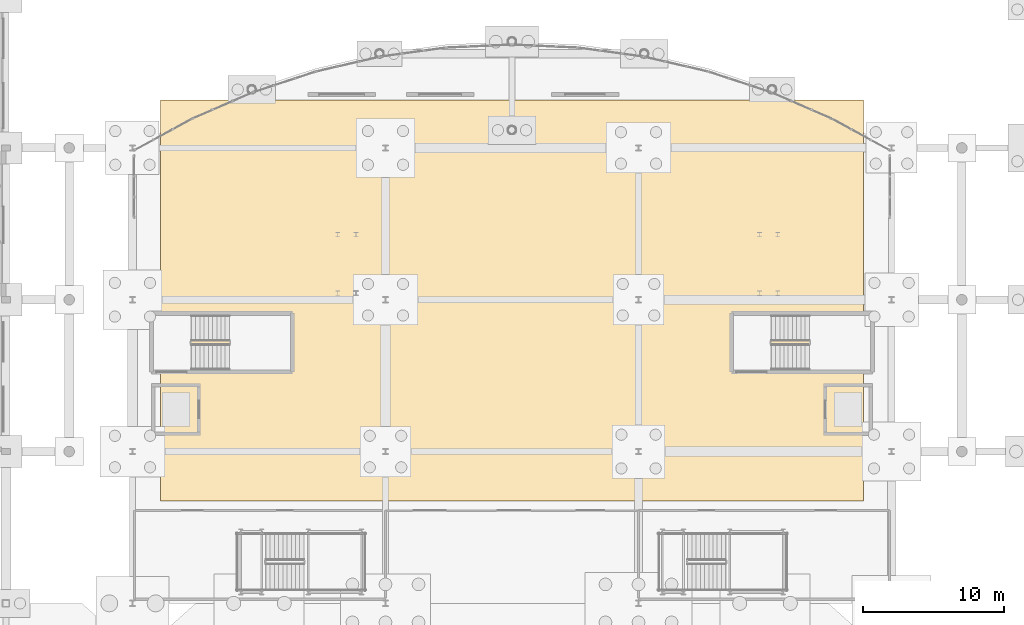
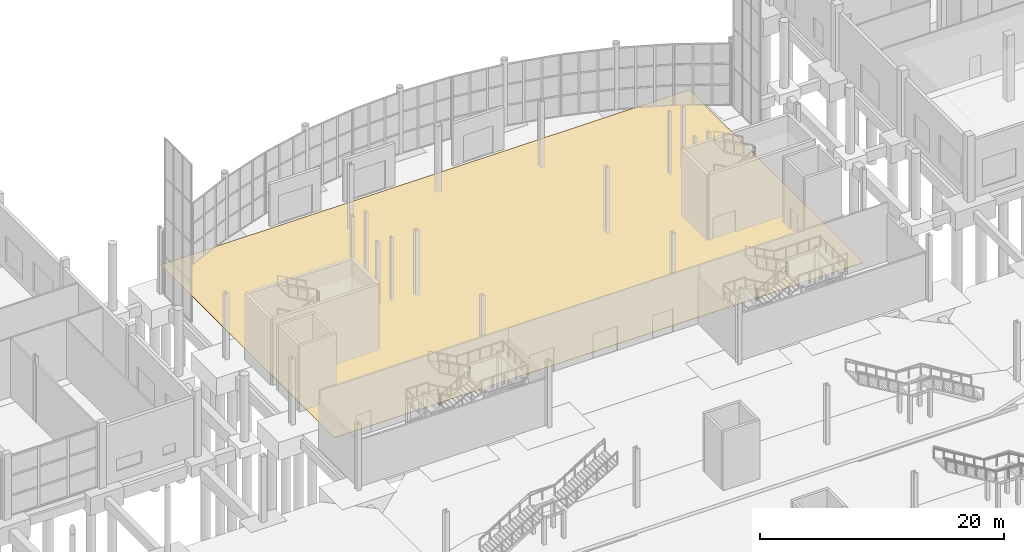
# One storey, part 110 of 115: 1 covering.
"""IFC4 building model written with IfcOpenShell, lengths in metres."""

from ifc_helpers import new_model, si_unit, direction, origin, place, context, subcontext, project, spatial, polyline, outline, extrude, material, layer, layer_set, type_object, element, save


model = new_model("IFC4")

# Units and contexts
model_context = context("Model", 3, precision=1e-05, world=origin(), true_north=direction((0.0, 1.0)))
body_context = subcontext(model_context, "Body", "Model", "MODEL_VIEW")
ifc_project = project(units=[si_unit("LENGTHUNIT", "METRE"), si_unit("AREAUNIT", "SQUARE_METRE"), si_unit("VOLUMEUNIT", "CUBIC_METRE"), si_unit("PLANEANGLEUNIT", "RADIAN"), si_unit("MASSUNIT", "GRAM", prefix="KILO")], contexts=[model_context])

# Site, building, storey
site_placement = place(None, origin())
site = spatial("IfcSite", under=ifc_project, at=site_placement, CompositionType="ELEMENT")
building_placement = place(site_placement, origin())
building = spatial("IfcBuilding", under=site, at=building_placement, Name="Tamarisk Ironworks Central Station", CompositionType="ELEMENT")
storey_placement = place(building_placement, origin())
storey = spatial("IfcBuildingStorey", under=building, at=storey_placement, Name="L00", CompositionType="ELEMENT", Elevation=0.0)

# Covering
ifc_material = material(Name="Granite tactile platform paving", Category="masonry")
ifc_layer = layer(ifc_material, 0.02490234375)
ifc_layer_set = layer_set([ifc_layer], Name="Granite tactile platform paving")
covering_type = type_object("IfcCoveringType", Name="COV-FLOOR-GR", PredefinedType="FLOORING", material=ifc_layer_set)
covering_placement = place(storey_placement, origin())
element("IfcCovering", 1, at=covering_placement, inside=storey, type_object=covering_type, Name="L00 granite/terrazzo floor finish 001", PredefinedType="FLOORING", context=body_context, shape_type="SweptSolid", body=[
    extrude(outline(polyline([(56.0, 86.5), (106.0, 86.5), (106.0, 115.0), (56.0, 115.0), (56.0, 86.5)])), origin(), (0.0, 0.0, 1.0), 0.02490234375),
])

save(model, "model.ifc")
